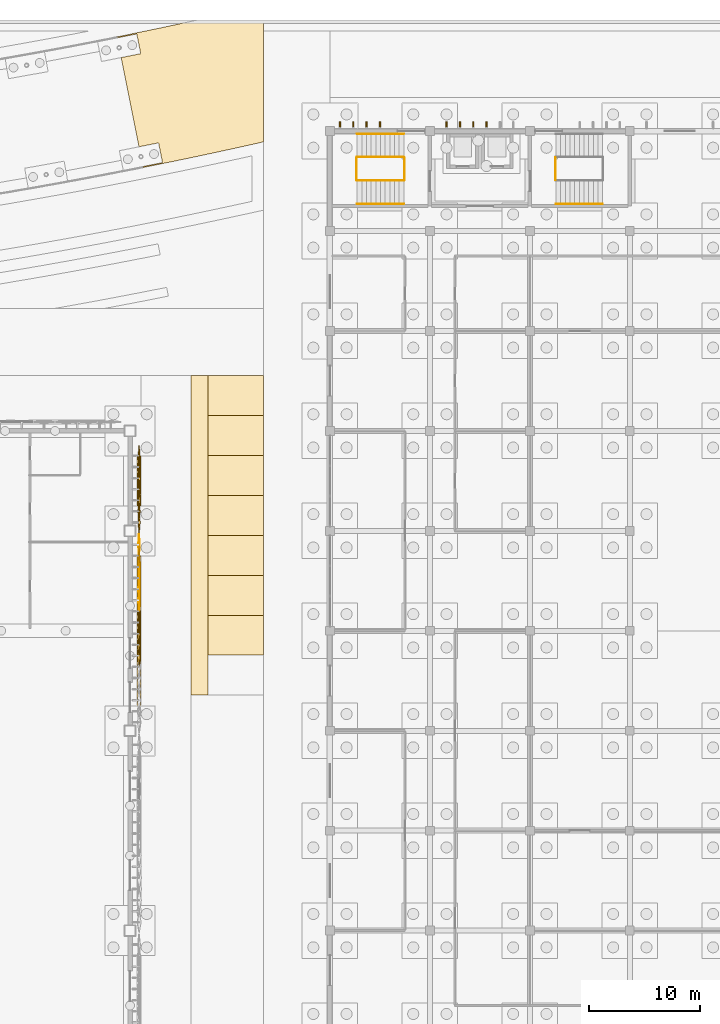
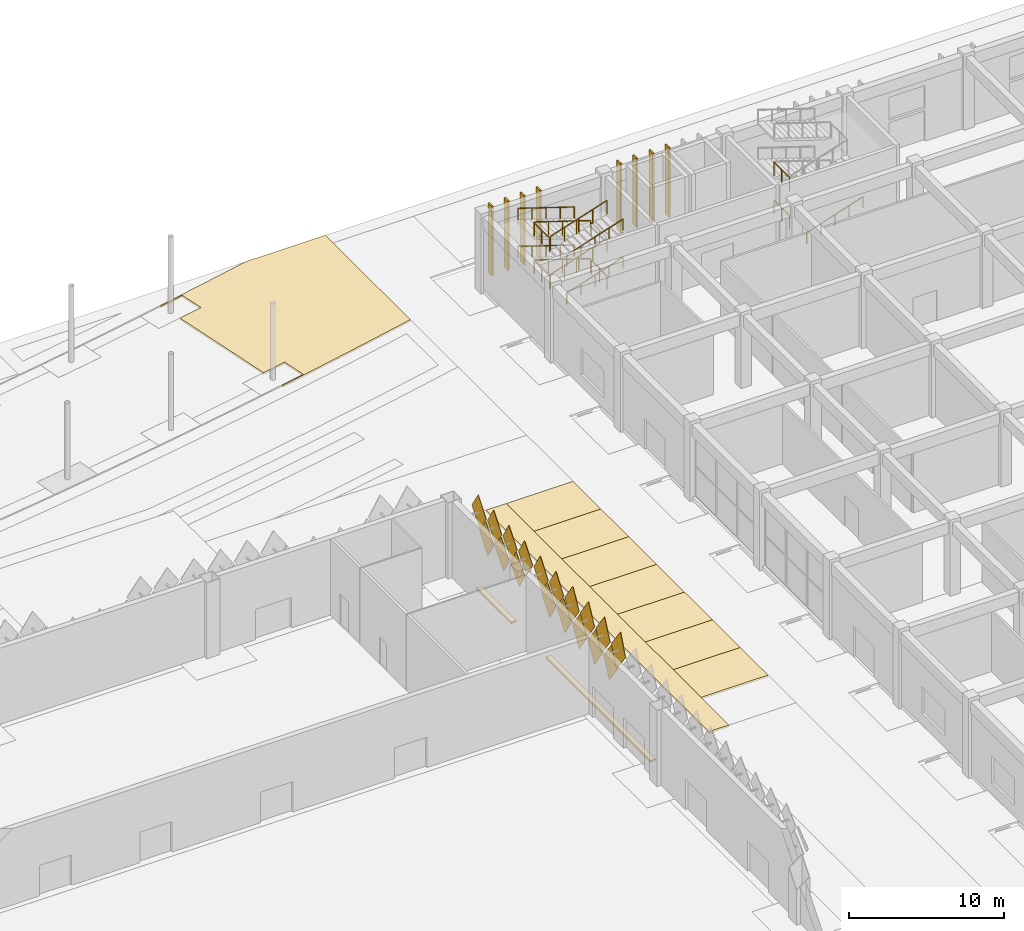
# One storey, part 192 of 198: 37 coverings, 15 railings.
"""IFC4 building model written with IfcOpenShell, lengths in metres."""

from ifc_helpers import new_model, si_unit, direction, frame, origin, origin_2d, place, context, subcontext, project, spatial, polyline, rectangle, circle, outline, extrude, material, layer, layer_set, constituent, constituent_set, material_profile, profile_set, type_object, element, save


model = new_model("IFC4")

# Units and contexts
model_context = context("Model", 3, precision=1e-05, world=origin(), true_north=direction((0.0, 1.0)))
body_context = subcontext(model_context, "Body", "Model", "MODEL_VIEW")
ifc_project = project(units=[si_unit("LENGTHUNIT", "METRE"), si_unit("AREAUNIT", "SQUARE_METRE"), si_unit("VOLUMEUNIT", "CUBIC_METRE"), si_unit("PLANEANGLEUNIT", "RADIAN"), si_unit("MASSUNIT", "GRAM", prefix="KILO")], contexts=[model_context])

# Site, building, storey
site_placement = place(None, origin())
site = spatial("IfcSite", under=ifc_project, at=site_placement, CompositionType="ELEMENT")
building_placement = place(site_placement, origin())
building = spatial("IfcBuilding", under=site, at=building_placement, Name="Opaline Strait Convention Centre", CompositionType="ELEMENT")
storey_placement = place(building_placement, origin())
storey = spatial("IfcBuildingStorey", under=building, at=storey_placement, Name="L00", CompositionType="ELEMENT", Elevation=0.0)

# Coverings
ifc_material_1 = material(Name="Asphalt road surfacing")
ifc_layer_1 = layer(ifc_material_1, 0.14990234375)
ifc_layer_set_1 = layer_set([ifc_layer_1], Name="Asphalt road surfacing")
covering_type_1 = type_object("IfcCoveringType", Name="Asphalt road surfacing 150", PredefinedType="FLOORING", material=ifc_layer_set_1)
covering_1_placement = place(storey_placement, frame((0.0, 0.0, -0.14990234375)))
element("IfcCovering", 1, at=covering_1_placement, inside=storey, type_object=covering_type_1, Name="Accessible Parking Access Aisle surfacing", PredefinedType="FLOORING", context=body_context, shape_type="SweptSolid", body=[
    extrude(outline(polyline([(266.5, 158.0), (266.5, 129.199951171875), (268.0, 129.199951171875), (268.0, 158.0), (266.5, 158.0)])), origin(), (0.0, 0.0, 1.0), 0.14990234375),
])
covering_2_placement = place(storey_placement, frame((0.0, 0.0, -0.14990234375)))
element("IfcCovering", 2, at=covering_2_placement, inside=storey, type_object=covering_type_1, Name="Accessible Parking Bay 2 surfacing", PredefinedType="FLOORING", context=body_context, shape_type="SweptSolid", body=[
    extrude(outline(polyline([(268.0, 136.39990234375), (268.0, 132.800048828125), (273.0, 132.800048828125), (273.0, 136.39990234375), (268.0, 136.39990234375)])), origin(), (0.0, 0.0, 1.0), 0.14990234375),
])
covering_3_placement = place(storey_placement, frame((0.0, 0.0, -0.14990234375)))
element("IfcCovering", 3, at=covering_3_placement, inside=storey, type_object=covering_type_1, Name="Accessible Parking Bay 3 surfacing", PredefinedType="FLOORING", context=body_context, shape_type="SweptSolid", body=[
    extrude(outline(polyline([(268.0, 140.0), (268.0, 136.39990234375), (273.0, 136.39990234375), (273.0, 140.0), (268.0, 140.0)])), origin(), (0.0, 0.0, 1.0), 0.14990234375),
])
covering_4_placement = place(storey_placement, frame((0.0, 0.0, -0.14990234375)))
element("IfcCovering", 4, at=covering_4_placement, inside=storey, type_object=covering_type_1, Name="Accessible Parking Bay 4 surfacing", PredefinedType="FLOORING", context=body_context, shape_type="SweptSolid", body=[
    extrude(outline(polyline([(268.0, 143.60009765625), (268.0, 140.0), (273.0, 140.0), (273.0, 143.60009765625), (268.0, 143.60009765625)])), origin(), (0.0, 0.0, 1.0), 0.14990234375),
])
covering_5_placement = place(storey_placement, frame((0.0, 0.0, -0.14990234375)))
element("IfcCovering", 5, at=covering_5_placement, inside=storey, type_object=covering_type_1, Name="Accessible Parking Bay 5 surfacing", PredefinedType="FLOORING", context=body_context, shape_type="SweptSolid", body=[
    extrude(outline(polyline([(268.0, 147.199951171875), (268.0, 143.60009765625), (273.0, 143.60009765625), (273.0, 147.199951171875), (268.0, 147.199951171875)])), origin(), (0.0, 0.0, 1.0), 0.14990234375),
])
covering_6_placement = place(storey_placement, frame((0.0, 0.0, -0.14990234375)))
element("IfcCovering", 6, at=covering_6_placement, inside=storey, type_object=covering_type_1, Name="Accessible Parking Bay 6 surfacing", PredefinedType="FLOORING", context=body_context, shape_type="SweptSolid", body=[
    extrude(outline(polyline([(268.0, 150.800048828125), (268.0, 147.199951171875), (273.0, 147.199951171875), (273.0, 150.800048828125), (268.0, 150.800048828125)])), origin(), (0.0, 0.0, 1.0), 0.14990234375),
])
covering_7_placement = place(storey_placement, frame((0.0, 0.0, -0.14990234375)))
element("IfcCovering", 7, at=covering_7_placement, inside=storey, type_object=covering_type_1, Name="Accessible Parking Bay 7 surfacing", PredefinedType="FLOORING", context=body_context, shape_type="SweptSolid", body=[
    extrude(outline(polyline([(268.0, 154.39990234375), (268.0, 150.800048828125), (273.0, 150.800048828125), (273.0, 154.39990234375), (268.0, 154.39990234375)])), origin(), (0.0, 0.0, 1.0), 0.14990234375),
])
covering_8_placement = place(storey_placement, frame((0.0, 0.0, -0.14990234375)))
element("IfcCovering", 8, at=covering_8_placement, inside=storey, type_object=covering_type_1, Name="Accessible Parking Bay 8 surfacing", PredefinedType="FLOORING", context=body_context, shape_type="SweptSolid", body=[
    extrude(outline(polyline([(268.0, 158.0), (268.0, 154.39990234375), (273.0, 154.39990234375), (273.0, 158.0), (268.0, 158.0)])), origin(), (0.0, 0.0, 1.0), 0.14990234375),
])
ifc_material_2 = material(Name="White ceramic-faced aluminium tile", Category="aluminium")
ifc_material_profile_1 = material_profile(ifc_material_2, outline(polyline([(0.927978515625, 0.0), (0.0, 1.39208984375), (-0.927978515625, 0.0), (0.0, -1.39208984375), (0.927978515625, 0.0)])), Name="Diamond tile 1856x2784")
ifc_profile_set_1 = profile_set([ifc_material_profile_1], Name="White ceramic-faced aluminium tile")
covering_type_2 = type_object("IfcCoveringType", Name="Diamond wall tile 1856x2784x30 pivot 2 deg", PredefinedType="CLADDING", material=ifc_profile_set_1)
for number, where, z_axis, x_axis, name in (
    (9, (261.800048828125, 137.75, 4.39208984375), (0.999174794796, 0.0, -0.040616861577), (0.0, 1.0, 0.0), "Wall tile XT04 E"),
    (10, (261.800048828125, 139.75, 4.39208984375), (0.999471633277, 0.0, 0.032503142546), (0.0, 1.0, 0.0), "Wall tile XT04 E"),
    (11, (261.800048828125, 138.75, 5.89208984375), (0.999174794796, 0.0, -0.040616861577), (0.0, 1.0, 0.0), "Wall tile XT04 E"),
    (12, (261.800048828125, 140.75, 5.89208984375), (0.999471633277, 0.0, 0.032503142546), (0.0, 1.0, 0.0), "Wall tile XT04 E"),
):
    element("IfcCovering", number, at=place(storey_placement, frame(where, z_axis=z_axis, x_axis=x_axis)), inside=storey, type_object=covering_type_2, Name=name, PredefinedType="CLADDING", context=body_context, shape_type="SweptSolid", body=[
        extrude(outline(polyline([(0.927978515625, 0.0), (0.0, 1.39208984375), (-0.927978515625, 0.0), (0.0, -1.39208984375), (0.927978515625, 0.0)])), origin(), (0.0, 0.0, 1.0), 0.030029296875),
    ])
ifc_material_profile_2 = material_profile(ifc_material_2, outline(polyline([(0.927978515625, 0.0), (0.0, 1.39208984375), (-0.927978515625, 0.0), (0.0, -1.39208984375), (0.927978515625, 0.0)])), Name="Diamond tile 1856x2784")
ifc_profile_set_2 = profile_set([ifc_material_profile_2], Name="White ceramic-faced aluminium tile")
covering_type_3 = type_object("IfcCoveringType", Name="Diamond wall tile 1856x2784x30 pivot 2.5 deg", PredefinedType="CLADDING", material=ifc_profile_set_2)
for number, where, z_axis, x_axis, name in (
    (13, (261.800048828125, 135.75, 4.39208984375), (0.998812351125, 0.0, -0.048722553713), (0.0, 1.0, 0.0), "Wall tile XT05 E"),
    (14, (261.800048828125, 136.75, 5.89208984375), (0.998812351125, 0.0, -0.048722553713), (0.0, 1.0, 0.0), "Wall tile XT05 E"),
    (15, (261.800048828125, 142.75, 5.89208984375), (0.999174794796, 0.0, 0.040616861577), (0.0, 1.0, 0.0), "Wall tile XT05 E"),
):
    element("IfcCovering", number, at=place(storey_placement, frame(where, z_axis=z_axis, x_axis=x_axis)), inside=storey, type_object=covering_type_3, Name=name, PredefinedType="CLADDING", context=body_context, shape_type="SweptSolid", body=[
        extrude(outline(polyline([(0.927978515625, 0.0), (0.0, 1.39208984375), (-0.927978515625, 0.0), (0.0, -1.39208984375), (0.927978515625, 0.0)])), origin(), (0.0, 0.0, 1.0), 0.030029296875),
    ])
ifc_material_profile_3 = material_profile(ifc_material_2, outline(polyline([(0.927978515625, 0.0), (0.0, 1.39208984375), (-0.927978515625, 0.0), (0.0, -1.39208984375), (0.927978515625, 0.0)])), Name="Diamond tile 1856x2784")
ifc_profile_set_3 = profile_set([ifc_material_profile_3], Name="White ceramic-faced aluminium tile")
covering_type_4 = type_object("IfcCoveringType", Name="Diamond wall tile 1856x2784x30 pivot 3 deg", PredefinedType="CLADDING", material=ifc_profile_set_3)
for number, where, z_axis, x_axis, name in (
    (16, (261.800048828125, 141.75, 4.39208984375), (0.998812351125, 0.0, 0.048722553713), (0.0, 1.0, 0.0), "Wall tile XT06 E"),
    (17, (261.800048828125, 149.75, 4.39208984375), (0.998812351125, 0.0, 0.048722553713), (0.0, 1.0, 0.0), "Wall tile XT06 E"),
    (18, (261.800048828125, 150.75, 5.89208984375), (0.998812351125, 0.0, 0.048722553713), (0.0, 1.0, 0.0), "Wall tile XT06 E"),
):
    element("IfcCovering", number, at=place(storey_placement, frame(where, z_axis=z_axis, x_axis=x_axis)), inside=storey, type_object=covering_type_4, Name=name, PredefinedType="CLADDING", context=body_context, shape_type="SweptSolid", body=[
        extrude(outline(polyline([(0.927978515625, 0.0), (0.0, 1.39208984375), (-0.927978515625, 0.0), (0.0, -1.39208984375), (0.927978515625, 0.0)])), origin(), (0.0, 0.0, 1.0), 0.030029296875),
    ])
ifc_material_profile_4 = material_profile(ifc_material_2, outline(polyline([(0.927978515625, 0.0), (0.0, 1.39208984375), (-0.927978515625, 0.0), (0.0, -1.39208984375), (0.927978515625, 0.0)])), Name="Diamond tile 1856x2784")
ifc_profile_set_4 = profile_set([ifc_material_profile_4], Name="White ceramic-faced aluminium tile")
covering_type_5 = type_object("IfcCoveringType", Name="Diamond wall tile 1856x2784x30 pivot 3.5 deg", PredefinedType="CLADDING", material=ifc_profile_set_4)
for number, where, z_axis, x_axis, name in (
    (19, (261.800048828125, 144.75, 5.89208984375), (0.99835799028, 0.0, 0.057282835508), (0.0, 1.0, 0.0), "Wall tile XT07 E"),
    (20, (261.800048828125, 148.75, 5.89208984375), (0.99835799028, 0.0, 0.057282835508), (0.0, 1.0, 0.0), "Wall tile XT07 E"),
):
    element("IfcCovering", number, at=place(storey_placement, frame(where, z_axis=z_axis, x_axis=x_axis)), inside=storey, type_object=covering_type_5, Name=name, PredefinedType="CLADDING", context=body_context, shape_type="SweptSolid", body=[
        extrude(outline(polyline([(0.927978515625, 0.0), (0.0, 1.39208984375), (-0.927978515625, 0.0), (0.0, -1.39208984375), (0.927978515625, 0.0)])), origin(), (0.0, 0.0, 1.0), 0.02978515625),
    ])
ifc_material_profile_5 = material_profile(ifc_material_2, outline(polyline([(0.927978515625, 0.0), (0.0, 1.39208984375), (-0.927978515625, 0.0), (0.0, -1.39208984375), (0.927978515625, 0.0)])), Name="Diamond tile 1856x2784")
ifc_profile_set_5 = profile_set([ifc_material_profile_5], Name="White ceramic-faced aluminium tile")
covering_type_6 = type_object("IfcCoveringType", Name="Diamond wall tile 1856x2784x30 pivot 4 deg", PredefinedType="CLADDING", material=ifc_profile_set_5)
for number, where, z_axis, x_axis, name in (
    (21, (261.800048828125, 147.75, 4.39208984375), (0.99785694905, 0.0, 0.065433242561), (0.0, 1.0, 0.0), "Wall tile XT08 E"),
    (22, (261.800048828125, 146.75, 5.89208984375), (0.99785694905, 0.0, 0.065433242561), (0.0, 1.0, 0.0), "Wall tile XT08 E"),
):
    element("IfcCovering", number, at=place(storey_placement, frame(where, z_axis=z_axis, x_axis=x_axis)), inside=storey, type_object=covering_type_6, Name=name, PredefinedType="CLADDING", context=body_context, shape_type="SweptSolid", body=[
        extrude(outline(polyline([(0.927978515625, 0.0), (0.0, 1.39208984375), (-0.927978515625, 0.0), (0.0, -1.39208984375), (0.927978515625, 0.0)])), origin(), (0.0, 0.0, 1.0), 0.02978515625),
    ])
ifc_material_profile_6 = material_profile(ifc_material_2, outline(polyline([(0.927978515625, 0.0), (0.0, 1.39208984375), (-0.927978515625, 0.0), (0.0, -1.39208984375), (0.927978515625, 0.0)])), Name="Diamond tile 1856x2784")
ifc_profile_set_6 = profile_set([ifc_material_profile_6], Name="White ceramic-faced aluminium tile")
covering_type_7 = type_object("IfcCoveringType", Name="Diamond wall tile 1856x2784x30 pivot 4.5 deg", PredefinedType="CLADDING", material=ifc_profile_set_6)
for number, where, z_axis, x_axis, name in (
    (23, (261.800048828125, 133.75, 4.39208984375), (0.996657521232, 0.0, -0.081693239445), (0.0, 1.0, 0.0), "Wall tile XT09 E"),
    (24, (261.800048828125, 145.75, 4.39208984375), (0.997290013252, 0.0, 0.073570574748), (0.0, 1.0, 0.0), "Wall tile XT09 E"),
    (25, (261.800048828125, 134.75, 5.89208984375), (0.996657521232, 0.0, -0.081693239445), (0.0, 1.0, 0.0), "Wall tile XT09 E"),
):
    element("IfcCovering", number, at=place(storey_placement, frame(where, z_axis=z_axis, x_axis=x_axis)), inside=storey, type_object=covering_type_7, Name=name, PredefinedType="CLADDING", context=body_context, shape_type="SweptSolid", body=[
        extrude(outline(polyline([(0.927978515625, 0.0), (0.0, 1.39208984375), (-0.927978515625, 0.0), (0.0, -1.39208984375), (0.927978515625, 0.0)])), origin(), (0.0, 0.0, 1.0), 0.02978515625),
    ])
ifc_material_profile_7 = material_profile(ifc_material_2, outline(polyline([(0.927978515625, 0.0), (0.0, 1.39208984375), (-0.927978515625, 0.0), (0.0, -1.39208984375), (0.927978515625, 0.0)])), Name="Diamond tile 1856x2784")
ifc_profile_set_7 = profile_set([ifc_material_profile_7], Name="White ceramic-faced aluminium tile")
covering_type_8 = type_object("IfcCoveringType", Name="Diamond wall tile 1856x2784x30 pivot 6 deg", PredefinedType="CLADDING", material=ifc_profile_set_7)
covering_9_placement = place(storey_placement, frame((261.800048828125, 132.75, 5.89208984375), z_axis=(0.994370656274, 0.0, -0.105957528947), x_axis=(0.0, 1.0, 0.0)))
element("IfcCovering", 26, at=covering_9_placement, inside=storey, type_object=covering_type_8, Name="Wall tile XT12 E", PredefinedType="CLADDING", context=body_context, shape_type="SweptSolid", body=[
    extrude(outline(polyline([(0.927978515625, 0.0), (0.0, 1.39208984375), (-0.927978515625, 0.0), (0.0, -1.39208984375), (0.927978515625, 0.0)])), origin(), (0.0, 0.0, 1.0), 0.030029296875),
])
ifc_material_3 = material(Name="Granite paving slabs on mortar bed", Category="masonry")
ifc_layer_2 = layer(ifc_material_3, 0.14990234375)
ifc_layer_set_2 = layer_set([ifc_layer_2], Name="Granite paving slabs on mortar bed")
covering_type_9 = type_object("IfcCoveringType", Name="Granite paving 150", PredefinedType="FLOORING", material=ifc_layer_set_2)
covering_10_placement = place(storey_placement, frame((0.0, 0.0, -0.14990234375)))
element("IfcCovering", 27, at=covering_10_placement, inside=storey, type_object=covering_type_9, Name="Forecourt surfacing", PredefinedType="FLOORING", context=body_context, shape_type="SweptSolid", body=[
    extrude(outline(polyline([(270.27392578125, 178.415771484375), (270.301513671875, 178.421875), (272.301513671875, 178.8662109375), (272.3291015625, 178.87255859375), (273.0, 179.02490234375), (273.0, 190.0), (267.071533203125, 190.0), (265.739990234375, 189.710693359375), (263.767578125, 189.291748046875), (261.79541015625, 188.8828125), (259.83740234375, 188.486328125), (259.85595703125, 188.39306640625), (261.61181640625, 188.744384765625), (261.966796875, 186.969482421875), (260.197021484375, 186.615478515625), (261.802978515625, 178.58447265625), (263.572998046875, 178.9384765625), (263.927978515625, 177.163818359375), (262.14404296875, 176.806884765625), (262.16259765625, 176.713623046875), (262.16259765625, 176.713623046875), (262.190673828125, 176.71923828125), (264.190673828125, 177.124267578125), (264.218505859375, 177.1298828125), (266.218505859375, 177.544921875), (266.246337890625, 177.550537109375), (268.246337890625, 177.975341796875), (268.27392578125, 177.981201171875), (270.27392578125, 178.415771484375)])), origin(), (0.0, 0.0, 1.0), 0.14990234375),
])

# Railings
ifc_material_4 = material(Name="Steel Q235B", Category="steel")
ifc_constituent_1 = constituent(ifc_material_4, Name="Frame")
ifc_material_5 = material(Name="Safety glass, bonded interlayer", Category="glass")
ifc_constituent_2 = constituent(ifc_material_5, Name="Infill")
ifc_constituent_set = constituent_set(constituents=[ifc_constituent_1, ifc_constituent_2], Name="Steel Q235B, Safety glass, bonded interlayer")
railing_type_1 = type_object("IfcRailingType", Name="Guard 1100 steel and glass", PredefinedType="GUARDRAIL", material=ifc_constituent_set)
railing_1_placement = place(storey_placement, frame((285.650146484375, 177.650146484375, 0.136474609375)))
element("IfcRailing", 28, at=railing_1_placement, inside=storey, type_object=railing_type_1, Name="L00 S5 stair guard 1", PredefinedType="GUARDRAIL", context=body_context, shape_type="SweptSolid", body=[
    extrude(circle(Radius=0.02392578125, at=origin_2d()), frame((0.0, 0.0, 1.076171875), z_axis=(-0.951131128591, 0.0, 0.308787266941), x_axis=(0.0, -1.0, 0.0)), (0.0, 0.0, 1.0), 4.415771484375),
    extrude(circle(Radius=0.02099609375, at=origin_2d()), origin(), (0.0, 0.0, 1.0), 1.052001953125),
    extrude(circle(Radius=0.02099609375, at=origin_2d()), frame((-1.050048828125, 0.0, 0.3408203125)), (0.0, 0.0, 1.0), 1.052001953125),
    extrude(circle(Radius=0.02099609375, at=origin_2d()), frame((-2.10009765625, 0.0, 0.681640625)), (0.0, 0.0, 1.0), 1.052001953125),
    extrude(circle(Radius=0.02099609375, at=origin_2d()), frame((-3.14990234375, 0.0, 1.022705078125)), (0.0, 0.0, 1.0), 1.052001953125),
    extrude(circle(Radius=0.02099609375, at=origin_2d()), frame((-4.199951171875, 0.0, 1.363525390625)), (0.0, 0.0, 1.0), 1.052001953125),
])
railing_2_placement = place(storey_placement, frame((281.400146484375, 177.60009765625, 1.5)))
element("IfcRailing", 29, at=railing_2_placement, inside=storey, type_object=railing_type_1, Name="L00 S5 stair guard 2", PredefinedType="GUARDRAIL", context=body_context, shape_type="SweptSolid", body=[
    extrude(circle(Radius=0.02392578125, at=origin_2d()), frame((0.0, 0.0, 1.076171875), z_axis=(0.0, -1.0, 0.0), x_axis=(1.0, 0.0, 0.0)), (0.0, 0.0, 1.0), 2.0),
    extrude(circle(Radius=0.02099609375, at=origin_2d()), origin(), (0.0, 0.0, 1.0), 1.052001953125),
    extrude(circle(Radius=0.02099609375, at=origin_2d()), frame((0.0, -1.0, 0.0)), (0.0, 0.0, 1.0), 1.052001953125),
    extrude(circle(Radius=0.02099609375, at=origin_2d()), frame((0.0, -2.0, 0.0)), (0.0, 0.0, 1.0), 1.052001953125),
])
railing_3_placement = place(storey_placement, frame((281.4501953125, 175.550048828125, 1.636474609375)))
element("IfcRailing", 30, at=railing_3_placement, inside=storey, type_object=railing_type_1, Name="L00 S5 stair guard 3", PredefinedType="GUARDRAIL", context=body_context, shape_type="SweptSolid", body=[
    extrude(circle(Radius=0.02392578125, at=origin_2d()), frame((0.0, 0.0, 1.076171875), z_axis=(0.951131128591, 0.0, 0.308787266941), x_axis=(0.0, 1.0, 0.0)), (0.0, 0.0, 1.0), 4.415771484375),
    extrude(circle(Radius=0.02099609375, at=origin_2d()), origin(), (0.0, 0.0, 1.0), 1.052001953125),
    extrude(circle(Radius=0.02099609375, at=origin_2d()), frame((1.050048828125, 0.0, 0.3408203125)), (0.0, 0.0, 1.0), 1.052001953125),
    extrude(circle(Radius=0.02099609375, at=origin_2d()), frame((2.10009765625, 0.0, 0.681640625)), (0.0, 0.0, 1.0), 1.052001953125),
    extrude(circle(Radius=0.02099609375, at=origin_2d()), frame((3.14990234375, 0.0, 1.022705078125)), (0.0, 0.0, 1.0), 1.052001953125),
    extrude(circle(Radius=0.02099609375, at=origin_2d()), frame((4.199951171875, 0.0, 1.363525390625)), (0.0, 0.0, 1.0), 1.052001953125),
])
railing_4_placement = place(storey_placement, frame((285.7001953125, 177.60009765625, 3.0)))
element("IfcRailing", 31, at=railing_4_placement, inside=storey, type_object=railing_type_1, Name="L00 S5 stair guard 4", PredefinedType="GUARDRAIL", context=body_context, shape_type="SweptSolid", body=[
    extrude(circle(Radius=0.02392578125, at=origin_2d()), frame((0.0, 0.0, 1.076171875), z_axis=(0.0, -1.0, 0.0), x_axis=(1.0, 0.0, 0.0)), (0.0, 0.0, 1.0), 2.0),
    extrude(circle(Radius=0.02099609375, at=origin_2d()), origin(), (0.0, 0.0, 1.0), 1.052001953125),
    extrude(circle(Radius=0.02099609375, at=origin_2d()), frame((0.0, -1.0, 0.0)), (0.0, 0.0, 1.0), 1.052001953125),
    extrude(circle(Radius=0.02099609375, at=origin_2d()), frame((0.0, -2.0, 0.0)), (0.0, 0.0, 1.0), 1.052001953125),
])
railing_5_placement = place(storey_placement, frame((285.650146484375, 177.650146484375, 3.136474609375)))
element("IfcRailing", 32, at=railing_5_placement, inside=storey, type_object=railing_type_1, Name="L00 S5 stair guard 5", PredefinedType="GUARDRAIL", context=body_context, shape_type="SweptSolid", body=[
    extrude(circle(Radius=0.02392578125, at=origin_2d()), frame((0.0, 0.0, 1.076171875), z_axis=(-0.951131128591, 0.0, 0.308787266941), x_axis=(0.0, -1.0, 0.0)), (0.0, 0.0, 1.0), 4.415771484375),
    extrude(circle(Radius=0.02099609375, at=origin_2d()), origin(), (0.0, 0.0, 1.0), 1.052001953125),
    extrude(circle(Radius=0.02099609375, at=origin_2d()), frame((-1.050048828125, 0.0, 0.3408203125)), (0.0, 0.0, 1.0), 1.052001953125),
    extrude(circle(Radius=0.02099609375, at=origin_2d()), frame((-2.10009765625, 0.0, 0.681640625)), (0.0, 0.0, 1.0), 1.052001953125),
    extrude(circle(Radius=0.02099609375, at=origin_2d()), frame((-3.14990234375, 0.0, 1.022705078125)), (0.0, 0.0, 1.0), 1.052001953125),
    extrude(circle(Radius=0.02099609375, at=origin_2d()), frame((-4.199951171875, 0.0, 1.363525390625)), (0.0, 0.0, 1.0), 1.052001953125),
])
railing_6_placement = place(storey_placement, frame((281.400146484375, 177.60009765625, 4.5)))
element("IfcRailing", 33, at=railing_6_placement, inside=storey, type_object=railing_type_1, Name="L00 S5 stair guard 6", PredefinedType="GUARDRAIL", context=body_context, shape_type="SweptSolid", body=[
    extrude(circle(Radius=0.02392578125, at=origin_2d()), frame((0.0, 0.0, 1.076171875), z_axis=(0.0, -1.0, 0.0), x_axis=(1.0, 0.0, 0.0)), (0.0, 0.0, 1.0), 2.0),
    extrude(circle(Radius=0.02099609375, at=origin_2d()), origin(), (0.0, 0.0, 1.0), 1.052001953125),
    extrude(circle(Radius=0.02099609375, at=origin_2d()), frame((0.0, -1.0, 0.0)), (0.0, 0.0, 1.0), 1.052001953125),
    extrude(circle(Radius=0.02099609375, at=origin_2d()), frame((0.0, -2.0, 0.0)), (0.0, 0.0, 1.0), 1.052001953125),
])
railing_7_placement = place(storey_placement, frame((281.4501953125, 175.550048828125, 4.636474609375)))
element("IfcRailing", 34, at=railing_7_placement, inside=storey, type_object=railing_type_1, Name="L00 S5 stair guard 7", PredefinedType="GUARDRAIL", context=body_context, shape_type="SweptSolid", body=[
    extrude(circle(Radius=0.02392578125, at=origin_2d()), frame((0.0, 0.0, 1.076171875), z_axis=(0.951131128591, 0.0, 0.308787266941), x_axis=(0.0, 1.0, 0.0)), (0.0, 0.0, 1.0), 4.415771484375),
    extrude(circle(Radius=0.02099609375, at=origin_2d()), origin(), (0.0, 0.0, 1.0), 1.052001953125),
    extrude(circle(Radius=0.02099609375, at=origin_2d()), frame((1.050048828125, 0.0, 0.3408203125)), (0.0, 0.0, 1.0), 1.052001953125),
    extrude(circle(Radius=0.02099609375, at=origin_2d()), frame((2.10009765625, 0.0, 0.681640625)), (0.0, 0.0, 1.0), 1.052001953125),
    extrude(circle(Radius=0.02099609375, at=origin_2d()), frame((3.14990234375, 0.0, 1.022705078125)), (0.0, 0.0, 1.0), 1.052001953125),
    extrude(circle(Radius=0.02099609375, at=origin_2d()), frame((4.199951171875, 0.0, 1.363525390625)), (0.0, 0.0, 1.0), 1.052001953125),
])
railing_8_placement = place(storey_placement, frame((285.7001953125, 177.60009765625, 0.0)))
element("IfcRailing", 35, at=railing_8_placement, inside=storey, type_object=railing_type_1, Name="L00 S5 stair guard 8", PredefinedType="GUARDRAIL", context=body_context, shape_type="SweptSolid", body=[
    extrude(circle(Radius=0.02392578125, at=origin_2d()), frame((0.0, 0.0, 1.076171875), z_axis=(0.0, -1.0, 0.0), x_axis=(1.0, 0.0, 0.0)), (0.0, 0.0, 1.0), 2.0),
    extrude(circle(Radius=0.02099609375, at=origin_2d()), origin(), (0.0, 0.0, 1.0), 1.052001953125),
    extrude(circle(Radius=0.02099609375, at=origin_2d()), frame((0.0, -1.0, 0.0)), (0.0, 0.0, 1.0), 1.052001953125),
    extrude(circle(Radius=0.02099609375, at=origin_2d()), frame((0.0, -2.0, 0.0)), (0.0, 0.0, 1.0), 1.052001953125),
])
for number, where, name in (
    (36, (299.2998046875, 175.599853515625, 3.0), "L00 S6 stair guard 4"),
    (37, (299.2998046875, 175.599853515625, 0.0), "L00 S6 stair guard 8"),
):
    element("IfcRailing", number, at=place(storey_placement, frame(where)), inside=storey, type_object=railing_type_1, Name=name, PredefinedType="GUARDRAIL", context=body_context, shape_type="SweptSolid", body=[
        extrude(circle(Radius=0.02392578125, at=origin_2d()), frame((0.0, 0.0, 1.076171875), z_axis=(0.0, 1.0, 0.0), x_axis=(-1.0, 0.0, 0.0)), (0.0, 0.0, 1.0), 2.0),
        extrude(circle(Radius=0.02099609375, at=origin_2d()), origin(), (0.0, 0.0, 1.0), 1.052001953125),
        extrude(circle(Radius=0.02099609375, at=origin_2d()), frame((0.0, 1.0, 0.0)), (0.0, 0.0, 1.0), 1.052001953125),
        extrude(circle(Radius=0.02099609375, at=origin_2d()), frame((0.0, 2.0, 0.0)), (0.0, 0.0, 1.0), 1.052001953125),
    ])

# Coverings
ifc_material_6 = material(Name="Concrete C30 exposed aggregate", Category="concrete")
ifc_layer_3 = layer(ifc_material_6, 0.14990234375)
ifc_layer_set_3 = layer_set([ifc_layer_3], Name="Concrete C30 exposed aggregate")
covering_type_10 = type_object("IfcCoveringType", Name="Site paving 150", PredefinedType="FLOORING", material=ifc_layer_set_3)
covering_11_placement = place(storey_placement, frame((0.0, 0.0, -0.14990234375)))
element("IfcCovering", 38, at=covering_11_placement, inside=storey, type_object=covering_type_10, Name="Site paving surfacing", PredefinedType="FLOORING", context=body_context, shape_type="SweptSolid", body=[
    extrude(outline(polyline([(261.60498046875, 128.2548828125), (262.0, 128.2548828125), (262.0, 141.7451171875), (261.60498046875, 141.7451171875), (261.60498046875, 128.2548828125)])), origin(), (0.0, 0.0, 1.0), 0.14990234375),
])
covering_12_placement = place(storey_placement, frame((0.0, 0.0, -0.14990234375)))
element("IfcCovering", 39, at=covering_12_placement, inside=storey, type_object=covering_type_10, Name="Site paving surfacing", PredefinedType="FLOORING", context=body_context, shape_type="SweptSolid", body=[
    extrude(outline(polyline([(261.60498046875, 146.2548828125), (262.0, 146.2548828125), (262.0, 150.7451171875), (261.60498046875, 150.7451171875), (261.60498046875, 146.2548828125)])), origin(), (0.0, 0.0, 1.0), 0.14990234375),
])

# Railings
ifc_material_7 = material(Name="Stainless steel 304", Category="steel")
railing_type_2 = type_object("IfcRailingType", Name="Stair handrail 900 stainless steel", PredefinedType="HANDRAIL", material=ifc_material_7)
railing_9_placement = place(storey_placement, frame((285.650146484375, 179.75, 0.136474609375)))
element("IfcRailing", 40, at=railing_9_placement, inside=storey, type_object=railing_type_2, Name="L00 S5 stair handrail 1", PredefinedType="HANDRAIL", context=body_context, shape_type="SweptSolid", body=[
    extrude(circle(Radius=0.02392578125, at=origin_2d()), frame((0.0, 0.0, 0.8759765625), z_axis=(-0.951131128591, 0.0, 0.308787266941), x_axis=(0.0, -1.0, 0.0)), (0.0, 0.0, 1.0), 4.415771484375),
    extrude(circle(Radius=0.02099609375, at=origin_2d()), origin(), (0.0, 0.0, 1.0), 0.851806640625),
    extrude(circle(Radius=0.02099609375, at=origin_2d()), frame((-1.050048828125, 0.0, 0.3408203125)), (0.0, 0.0, 1.0), 0.851806640625),
    extrude(circle(Radius=0.02099609375, at=origin_2d()), frame((-2.10009765625, 0.0, 0.681640625)), (0.0, 0.0, 1.0), 0.851806640625),
    extrude(circle(Radius=0.02099609375, at=origin_2d()), frame((-3.14990234375, 0.0, 1.022705078125)), (0.0, 0.0, 1.0), 0.851806640625),
    extrude(circle(Radius=0.02099609375, at=origin_2d()), frame((-4.199951171875, 0.0, 1.363525390625)), (0.0, 0.0, 1.0), 0.851806640625),
])
railing_10_placement = place(storey_placement, frame((281.4501953125, 173.449951171875, 1.636474609375)))
element("IfcRailing", 41, at=railing_10_placement, inside=storey, type_object=railing_type_2, Name="L00 S5 stair handrail 2", PredefinedType="HANDRAIL", context=body_context, shape_type="SweptSolid", body=[
    extrude(circle(Radius=0.02392578125, at=origin_2d()), frame((0.0, 0.0, 0.8759765625), z_axis=(0.951131128591, 0.0, 0.308787266941), x_axis=(0.0, 1.0, 0.0)), (0.0, 0.0, 1.0), 4.415771484375),
    extrude(circle(Radius=0.02099609375, at=origin_2d()), origin(), (0.0, 0.0, 1.0), 0.851806640625),
    extrude(circle(Radius=0.02099609375, at=origin_2d()), frame((1.050048828125, 0.0, 0.3408203125)), (0.0, 0.0, 1.0), 0.851806640625),
    extrude(circle(Radius=0.02099609375, at=origin_2d()), frame((2.10009765625, 0.0, 0.681640625)), (0.0, 0.0, 1.0), 0.851806640625),
    extrude(circle(Radius=0.02099609375, at=origin_2d()), frame((3.14990234375, 0.0, 1.022705078125)), (0.0, 0.0, 1.0), 0.851806640625),
    extrude(circle(Radius=0.02099609375, at=origin_2d()), frame((4.199951171875, 0.0, 1.363525390625)), (0.0, 0.0, 1.0), 0.851806640625),
])
railing_11_placement = place(storey_placement, frame((285.650146484375, 179.75, 3.136474609375)))
element("IfcRailing", 42, at=railing_11_placement, inside=storey, type_object=railing_type_2, Name="L00 S5 stair handrail 3", PredefinedType="HANDRAIL", context=body_context, shape_type="SweptSolid", body=[
    extrude(circle(Radius=0.02392578125, at=origin_2d()), frame((0.0, 0.0, 0.8759765625), z_axis=(-0.951131128591, 0.0, 0.308787266941), x_axis=(0.0, -1.0, 0.0)), (0.0, 0.0, 1.0), 4.415771484375),
    extrude(circle(Radius=0.02099609375, at=origin_2d()), origin(), (0.0, 0.0, 1.0), 0.851806640625),
    extrude(circle(Radius=0.02099609375, at=origin_2d()), frame((-1.050048828125, 0.0, 0.3408203125)), (0.0, 0.0, 1.0), 0.851806640625),
    extrude(circle(Radius=0.02099609375, at=origin_2d()), frame((-2.10009765625, 0.0, 0.681640625)), (0.0, 0.0, 1.0), 0.851806640625),
    extrude(circle(Radius=0.02099609375, at=origin_2d()), frame((-3.14990234375, 0.0, 1.022705078125)), (0.0, 0.0, 1.0), 0.851806640625),
    extrude(circle(Radius=0.02099609375, at=origin_2d()), frame((-4.199951171875, 0.0, 1.363525390625)), (0.0, 0.0, 1.0), 0.851806640625),
])
for number, where, name in (
    (43, (281.4501953125, 173.449951171875, 4.636474609375), "L00 S5 stair handrail 4"),
    (44, (299.349853515625, 173.449951171875, 0.136474609375), "L00 S6 stair handrail 1"),
):
    element("IfcRailing", number, at=place(storey_placement, frame(where)), inside=storey, type_object=railing_type_2, Name=name, PredefinedType="HANDRAIL", context=body_context, shape_type="SweptSolid", body=[
        extrude(circle(Radius=0.02392578125, at=origin_2d()), frame((0.0, 0.0, 0.8759765625), z_axis=(0.951131128591, 0.0, 0.308787266941), x_axis=(0.0, 1.0, 0.0)), (0.0, 0.0, 1.0), 4.415771484375),
        extrude(circle(Radius=0.02099609375, at=origin_2d()), origin(), (0.0, 0.0, 1.0), 0.851806640625),
        extrude(circle(Radius=0.02099609375, at=origin_2d()), frame((1.050048828125, 0.0, 0.3408203125)), (0.0, 0.0, 1.0), 0.851806640625),
        extrude(circle(Radius=0.02099609375, at=origin_2d()), frame((2.10009765625, 0.0, 0.681640625)), (0.0, 0.0, 1.0), 0.851806640625),
        extrude(circle(Radius=0.02099609375, at=origin_2d()), frame((3.14990234375, 0.0, 1.022705078125)), (0.0, 0.0, 1.0), 0.851806640625),
        extrude(circle(Radius=0.02099609375, at=origin_2d()), frame((4.199951171875, 0.0, 1.363525390625)), (0.0, 0.0, 1.0), 0.851806640625),
    ])

# Coverings
ifc_material_8 = material(Name="Aluminium alloy 6063-T5", Category="aluminium")
ifc_layer_4 = layer(ifc_material_8, 0.1201171875)
ifc_layer_set_4 = layer_set([ifc_layer_4], Name="Aluminium alloy 6063-T5")
covering_type_11 = type_object("IfcCoveringType", Name="Storm louvre fin 120 x 500 aluminium", PredefinedType="CLADDING", material=ifc_layer_set_4)
for number, where, z_axis, x_axis, name in (
    (45, (279.89990234375, 180.60009765625, 0.25), (0.0, 0.0, 1.0), (1.0, 0.0, 0.0), "Storm louvre fin N L00"),
    (46, (281.10009765625, 180.60009765625, 0.25), (0.0, 0.0, 1.0), (1.0, 0.0, 0.0), "Storm louvre fin N L00"),
    (47, (282.300048828125, 180.60009765625, 0.25), (0.0, 0.0, 1.0), (1.0, 0.0, 0.0), "Storm louvre fin N L00"),
    (48, (283.5, 180.60009765625, 0.25), (0.0, 0.0, 1.0), (1.0, 0.0, 0.0), "Storm louvre fin N L00"),
    (49, (289.5, 180.60009765625, 0.25), (0.0, 0.0, 1.0), (1.0, 0.0, 0.0), "Storm louvre fin N L00"),
    (50, (290.699951171875, 180.60009765625, 0.25), (0.0, 0.0, 1.0), (1.0, 0.0, 0.0), "Storm louvre fin N L00"),
    (51, (291.89990234375, 180.60009765625, 0.25), (0.0, 0.0, 1.0), (1.0, 0.0, 0.0), "Storm louvre fin N L00"),
    (52, (293.10009765625, 180.60009765625, 0.25), (0.0, 0.0, 1.0), (1.0, 0.0, 0.0), "Storm louvre fin N L00"),
):
    element("IfcCovering", number, at=place(storey_placement, frame(where, z_axis=z_axis, x_axis=x_axis)), inside=storey, type_object=covering_type_11, Name=name, PredefinedType="CLADDING", context=body_context, shape_type="SweptSolid", body=[
        extrude(rectangle(XDim=0.1201171875, YDim=0.5, at=origin_2d()), origin(), (0.0, 0.0, 1.0), 5.449951171875),
    ])

save(model, "model.ifc")
